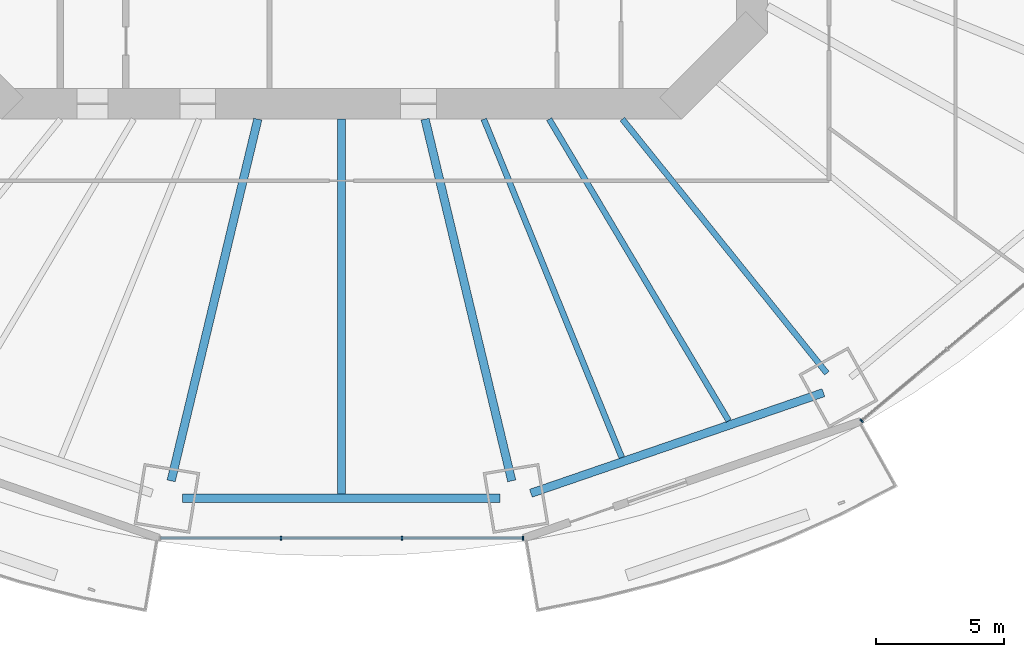
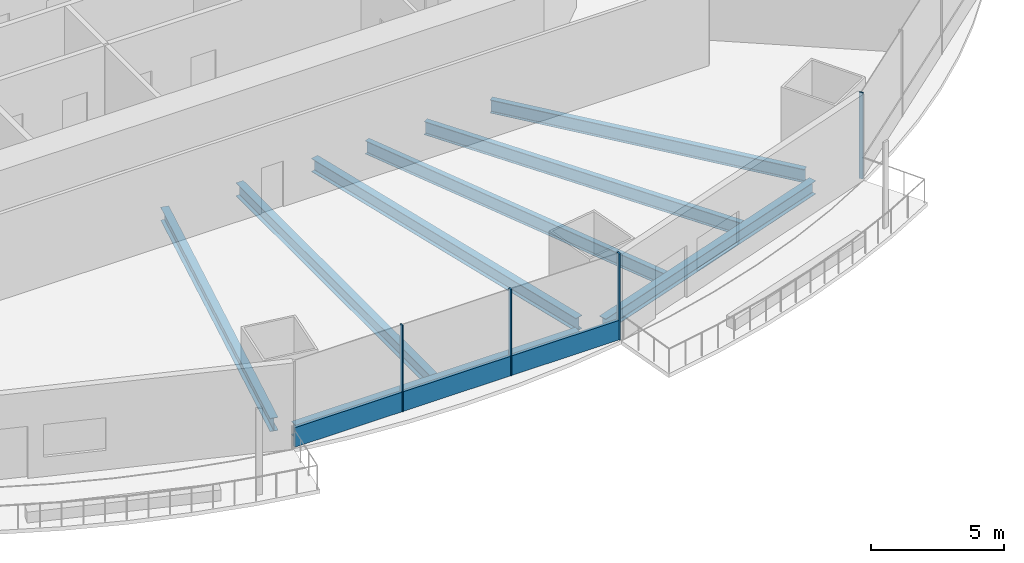
# One storey, part 4 of 23: 8 beams, 5 members, 2 elements without a shape of their own.
"""IFC4 building model written with IfcOpenShell, lengths in metres."""

from ifc_helpers import new_model, si_unit, direction, frame, origin, origin_2d, place, context, subcontext, project, spatial, rectangle, i_section, extrude, material, material_profile, profile_set, type_object, element, aggregate, save


model = new_model("IFC4")

# Units and contexts
model_context = context("Model", 3, precision=1e-05, world=origin(), true_north=direction((0.0, 1.0)))
body_context = subcontext(model_context, "Body", "Model", "MODEL_VIEW")
ifc_project = project(units=[si_unit("LENGTHUNIT", "METRE"), si_unit("AREAUNIT", "SQUARE_METRE"), si_unit("VOLUMEUNIT", "CUBIC_METRE"), si_unit("PLANEANGLEUNIT", "RADIAN"), si_unit("MASSUNIT", "GRAM", prefix="KILO")], contexts=[model_context])

# Site, building, storey
site_placement = place(None, origin())
site = spatial("IfcSite", under=ifc_project, at=site_placement, CompositionType="ELEMENT")
building_placement = place(site_placement, origin())
building = spatial("IfcBuilding", under=site, at=building_placement, Name="Marenthal Gate Tower", CompositionType="ELEMENT")
storey_placement = place(building_placement, frame((0.0, 0.0, 49.60009765625)))
storey = spatial("IfcBuildingStorey", under=building, at=storey_placement, Name="L08", CompositionType="ELEMENT", Elevation=49.60009765625)

# Curtain wall, members
ifc_material_1 = material(Name="Aluminium and glass", Category="aluminium")
curtain_wall_type = type_object("IfcCurtainWallType", Name="Curtain wall typical low", PredefinedType="NOTDEFINED", material=ifc_material_1)
curtain_wall_1_placement = place(storey_placement, origin())
curtain_wall_1 = element("IfcCurtainWall", 1, at=curtain_wall_1_placement, inside=storey, type_object=curtain_wall_type, Name="Curtain wall L08 bay 12", PredefinedType="NOTDEFINED")
ifc_material_2 = material(Name="Aluminium", Category="aluminium")
ifc_material_profile_1 = material_profile(ifc_material_2, rectangle(XDim=0.159912109375, YDim=0.06005859375, at=origin_2d()), Name="60x160 aluminium mullion")
ifc_profile_set_1 = profile_set([ifc_material_profile_1], Name="Aluminium")
member_type_1 = type_object("IfcMemberType", Name="Mullion 60x160 typical low", PredefinedType="MULLION", material=ifc_profile_set_1)
member_1_placement = place(storey_placement, frame((-2.359619140625, -29.9287109375, 0.0), z_axis=(0.0, 0.0, 1.0), x_axis=(0.0, 1.0, 0.0)))
member_1 = element("IfcMember", 2, at=member_1_placement, type_object=member_type_1, Name="Mullion L08 bay 12.2", PredefinedType="MULLION", context=body_context, shape_type="SweptSolid", body=[
    extrude(rectangle(XDim=0.159912109375, YDim=0.06005859375, at=origin_2d()), origin(), (0.0, 0.0, 1.0), 3.969970703125),
])
member_2_placement = place(storey_placement, frame((2.359619140625, -29.9287109375, 0.0), z_axis=(0.0, 0.0, 1.0), x_axis=(0.0, 1.0, 0.0)))
member_2 = element("IfcMember", 3, at=member_2_placement, type_object=member_type_1, Name="Mullion L08 bay 12.3", PredefinedType="MULLION", context=body_context, shape_type="SweptSolid", body=[
    extrude(rectangle(XDim=0.159912109375, YDim=0.06005859375, at=origin_2d()), origin(), (0.0, 0.0, 1.0), 3.969970703125),
])
member_3_placement = place(storey_placement, frame((7.07861328125, -29.9287109375, 0.0), z_axis=(0.0, 0.0, 1.0), x_axis=(0.0, 1.0, 0.0)))
member_3 = element("IfcMember", 4, at=member_3_placement, type_object=member_type_1, Name="Mullion L08 bay 12.4", PredefinedType="MULLION", context=body_context, shape_type="SweptSolid", body=[
    extrude(rectangle(XDim=0.159912109375, YDim=0.06005859375, at=origin_2d()), origin(), (0.0, 0.0, 1.0), 3.969970703125),
])

# Curtain wall, member
curtain_wall_2_placement = place(storey_placement, origin())
curtain_wall_2 = element("IfcCurtainWall", 5, at=curtain_wall_2_placement, inside=storey, type_object=curtain_wall_type, Name="Curtain wall L08 bay 14", PredefinedType="NOTDEFINED")
member_4_placement = place(storey_placement, frame((20.266845703125, -25.35302734375, 0.0), z_axis=(0.0, 0.0, 1.0), x_axis=(-0.642047277641, 0.766665046336, 0.0)))
member_4 = element("IfcMember", 6, at=member_4_placement, type_object=member_type_1, Name="Mullion L08 bay 14.1", PredefinedType="MULLION", context=body_context, shape_type="SweptSolid", body=[
    extrude(rectangle(XDim=0.159912109375, YDim=0.06005859375, at=origin_2d()), origin(), (0.0, 0.0, 1.0), 3.969970703125),
])
aggregate(curtain_wall_2, [member_4])

# Member
ifc_material_3 = material(Name="Aluminium", Category="aluminium")
ifc_material_profile_2 = material_profile(ifc_material_3, rectangle(XDim=0.1201171875, YDim=0.89990234375, at=origin_2d()), Name="120x900 aluminium transom")
ifc_profile_set_2 = profile_set([ifc_material_profile_2], Name="Aluminium")
member_type_2 = type_object("IfcMemberType", Name="Transom 120x900 typical low", PredefinedType="USERDEFINED", material=ifc_profile_set_2)
member_5_placement = place(storey_placement, frame((-7.048583984375, -29.9287109375, 0.449951171875), z_axis=(1.0, 0.0, 0.0), x_axis=(0.0, 1.0, 0.0)))
member_5 = element("IfcMember", 7, at=member_5_placement, type_object=member_type_2, Name="Transom L08 bay 12", ObjectType="TRANSOM", PredefinedType="USERDEFINED", context=body_context, shape_type="SweptSolid", body=[
    extrude(rectangle(XDim=0.1201171875, YDim=0.89990234375, at=origin_2d()), origin(), (0.0, 0.0, 1.0), 14.09716796875),
])

aggregate(curtain_wall_1, [member_1, member_2, member_3, member_5])

# Beams
ifc_material_4 = material(Name="Steel S355", Category="steel")
ifc_material_profile_3 = material_profile(ifc_material_4, i_section(OverallWidth=0.22900390625, OverallDepth=0.612060546875, WebThickness=0.011962890625, FlangeThickness=0.01953125, FilletRadius=0.0126953125, at=origin_2d()), Name="W610X125")
ifc_profile_set_3 = profile_set([ifc_material_profile_3], Name="Steel S355")
beam_type_1 = type_object("IfcBeamType", Name="W610X125 beam", PredefinedType="BEAM", material=ifc_profile_set_3)
beam_1_placement = place(storey_placement, frame((18.916015625, -23.49951171875, -0.486083984375), z_axis=(-0.627042105716, 0.778985364214, 0.0), x_axis=(-0.778985364214, -0.627042105716, 0.0)))
element("IfcBeam", 8, at=beam_1_placement, inside=storey, type_object=beam_type_1, Name="BM-L08-14", PredefinedType="BEAM", context=body_context, shape_type="SweptSolid", body=[
    extrude(i_section(OverallWidth=0.22900390625, OverallDepth=0.612060546875, WebThickness=0.011962890625, FlangeThickness=0.01953125, FilletRadius=0.0126953125, at=origin_2d()), origin(), (0.0, 0.0, 1.0), 12.7080078125),
])
beam_2_placement = place(storey_placement, frame((10.927490234375, -26.7880859375, -0.486083984375), z_axis=(-0.377703578377, 0.925926566679, 0.0), x_axis=(-0.925926566679, -0.377703578377, 0.0)))
element("IfcBeam", 9, at=beam_2_placement, inside=storey, type_object=beam_type_1, Name="BM-L08-35", PredefinedType="BEAM", context=body_context, shape_type="SweptSolid", body=[
    extrude(i_section(OverallWidth=0.22900390625, OverallDepth=0.612060546875, WebThickness=0.011962890625, FlangeThickness=0.01953125, FilletRadius=0.0126953125, at=origin_2d()), origin(), (0.0, 0.0, 1.0), 14.242919921875),
])
beam_3_placement = place(storey_placement, frame((15.0927734375, -25.356201171875, -0.486083984375), z_axis=(-0.511477271469, 0.859296805982, 0.0), x_axis=(-0.859296805982, -0.511477271469, 0.0)))
element("IfcBeam", 10, at=beam_3_placement, inside=storey, type_object=beam_type_1, Name="BM-L08-36", PredefinedType="BEAM", context=body_context, shape_type="SweptSolid", body=[
    extrude(i_section(OverallWidth=0.22900390625, OverallDepth=0.612060546875, WebThickness=0.011962890625, FlangeThickness=0.01953125, FilletRadius=0.0126953125, at=origin_2d()), origin(), (0.0, 0.0, 1.0), 13.68115234375),
])
ifc_material_5 = material(Name="Steel S355", Category="steel")
ifc_material_profile_4 = material_profile(ifc_material_5, i_section(OverallWidth=0.324951171875, OverallDepth=0.612060546875, WebThickness=0.0126953125, FlangeThickness=0.01904296875, FilletRadius=0.0126953125, at=origin_2d()), Name="W610X155")
ifc_profile_set_4 = profile_set([ifc_material_profile_4], Name="Steel S355")
beam_type_2 = type_object("IfcBeamType", Name="W610X155 beam", PredefinedType="BEAM", material=ifc_profile_set_4)
for number, where, z_axis, x_axis, name in (
    (11, (-6.63671875, -27.6953125, -0.486083984375), (0.233035932215, 0.97246812508, 0.0), (-0.97246812508, 0.233035932215, 0.0), "BM-L08-12"),
    (12, (6.63671875, -27.6953125, -0.486083984375), (-0.233035932215, 0.97246812508, 0.0), (-0.97246812508, -0.233035932215, 0.0), "BM-L08-13"),
):
    element("IfcBeam", number, at=place(storey_placement, frame(where, z_axis=z_axis, x_axis=x_axis)), inside=storey, type_object=beam_type_2, Name=name, PredefinedType="BEAM", context=body_context, shape_type="SweptSolid", body=[
        extrude(i_section(OverallWidth=0.324951171875, OverallDepth=0.612060546875, WebThickness=0.0126953125, FlangeThickness=0.01904296875, FilletRadius=0.0126953125, at=origin_2d()), origin(), (0.0, 0.0, 1.0), 14.494384765625),
    ])
beam_4_placement = place(storey_placement, frame((0.0, -28.216552734375, -0.486083984375), z_axis=(0.0, 1.0, 0.0), x_axis=(-1.0, 0.0, 0.0)))
element("IfcBeam", 13, at=beam_4_placement, inside=storey, type_object=beam_type_2, Name="BM-L08-34", PredefinedType="BEAM", context=body_context, shape_type="SweptSolid", body=[
    extrude(i_section(OverallWidth=0.324951171875, OverallDepth=0.612060546875, WebThickness=0.0126953125, FlangeThickness=0.01904296875, FilletRadius=0.0126953125, at=origin_2d()), origin(), (0.0, 0.0, 1.0), 14.616455078125),
])
beam_5_placement = place(storey_placement, frame((-6.185546875, -28.37890625, -0.486083984375), z_axis=(1.0, 0.0, 0.0), x_axis=(0.0, 1.0, 0.0)))
element("IfcBeam", 14, at=beam_5_placement, inside=storey, type_object=beam_type_2, Name="BM-L08-52", PredefinedType="BEAM", context=body_context, shape_type="SweptSolid", body=[
    extrude(i_section(OverallWidth=0.324951171875, OverallDepth=0.612060546875, WebThickness=0.0126953125, FlangeThickness=0.01904296875, FilletRadius=0.0126953125, at=origin_2d()), origin(), (0.0, 0.0, 1.0), 12.37109375),
])
beam_6_placement = place(storey_placement, frame((7.3828125, -28.178955078125, -0.486083984375), z_axis=(0.945659940371, 0.325157311431, 0.0), x_axis=(-0.325157311431, 0.945659940371, 0.0)))
element("IfcBeam", 15, at=beam_6_placement, inside=storey, type_object=beam_type_2, Name="BM-L08-53", PredefinedType="BEAM", context=body_context, shape_type="SweptSolid", body=[
    extrude(i_section(OverallWidth=0.324951171875, OverallDepth=0.612060546875, WebThickness=0.0126953125, FlangeThickness=0.01904296875, FilletRadius=0.0126953125, at=origin_2d()), origin(), (0.0, 0.0, 1.0), 12.0546875),
])

save(model, "model.ifc")
